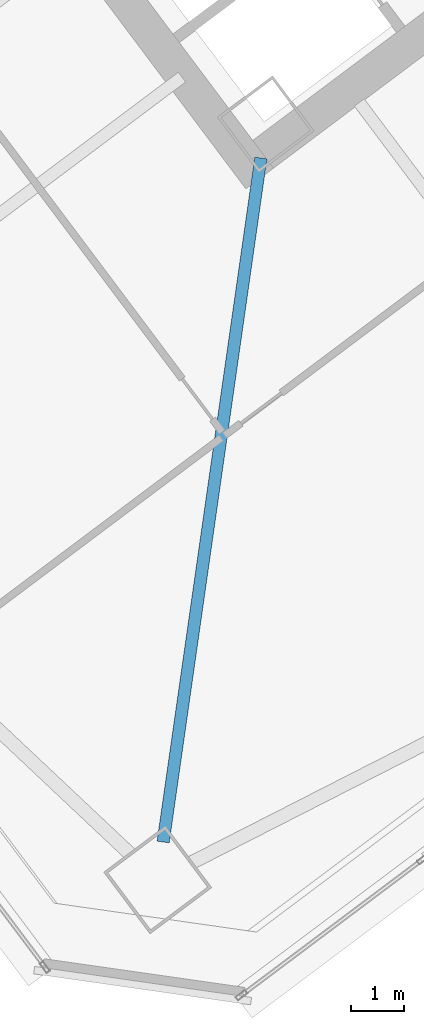
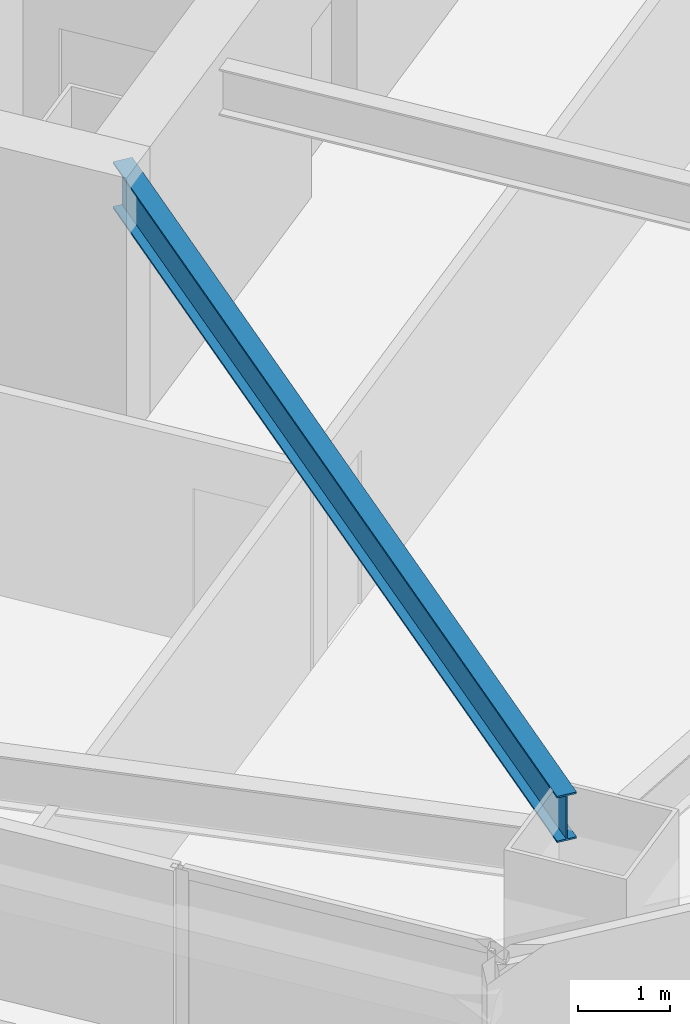
# One storey, part 21 of 47: 1 beam.
"""IFC4 building model written with IfcOpenShell, lengths in metres."""

from ifc_helpers import new_model, si_unit, direction, frame, origin, origin_2d, place, context, subcontext, project, spatial, i_section, extrude, material, material_profile, profile_set, type_object, element, save


model = new_model("IFC4")

# Units and contexts
model_context = context("Model", 3, precision=1e-05, world=origin(), true_north=direction((0.0, 1.0)))
body_context = subcontext(model_context, "Body", "Model", "MODEL_VIEW")
ifc_project = project(units=[si_unit("LENGTHUNIT", "METRE"), si_unit("AREAUNIT", "SQUARE_METRE"), si_unit("VOLUMEUNIT", "CUBIC_METRE"), si_unit("PLANEANGLEUNIT", "RADIAN"), si_unit("MASSUNIT", "GRAM", prefix="KILO")], contexts=[model_context])

# Site, building, storey
site_placement = place(None, origin())
site = spatial("IfcSite", under=ifc_project, at=site_placement, CompositionType="ELEMENT")
building_placement = place(site_placement, origin())
building = spatial("IfcBuilding", under=site, at=building_placement, Name="Tashvorn Skyway Center", CompositionType="ELEMENT")
storey_placement = place(building_placement, frame((0.0, 0.0, 81.39990234375)))
storey = spatial("IfcBuildingStorey", under=building, at=storey_placement, Name="L21", CompositionType="ELEMENT", Elevation=81.39990234375)

# Beam
ifc_material = material(Name="Steel ASTM A992 Grade 50", Category="steel")
ifc_material_profile = material_profile(ifc_material, i_section(OverallWidth=0.22998046875, OverallDepth=0.616943359375, WebThickness=0.01318359375, FlangeThickness=0.022216796875, at=origin_2d()), Name="W24X94")
ifc_profile_set = profile_set([ifc_material_profile], Name="Steel ASTM A992 Grade 50")
beam_type = type_object("IfcBeamType", Name="BM-BEAM-W24X94", PredefinedType="BEAM", material=ifc_profile_set)
beam_placement = place(storey_placement, frame((110.661865234375, 8.6328125, 3.04150390625), z_axis=(0.141418724841, 0.989949869571, 0.0), x_axis=(-0.989949869571, 0.141418724841, 0.0)))
element("IfcBeam", 1, at=beam_placement, inside=storey, type_object=beam_type, Name="Tower 2 L21 Primary Floor Girder MC-SW", PredefinedType="BEAM", context=body_context, shape_type="SweptSolid", body=[
    extrude(i_section(OverallWidth=0.22998046875, OverallDepth=0.616943359375, WebThickness=0.01318359375, FlangeThickness=0.022216796875, at=origin_2d()), origin(), (0.0, 0.0, 1.0), 12.9892578125),
])

save(model, "model.ifc")
